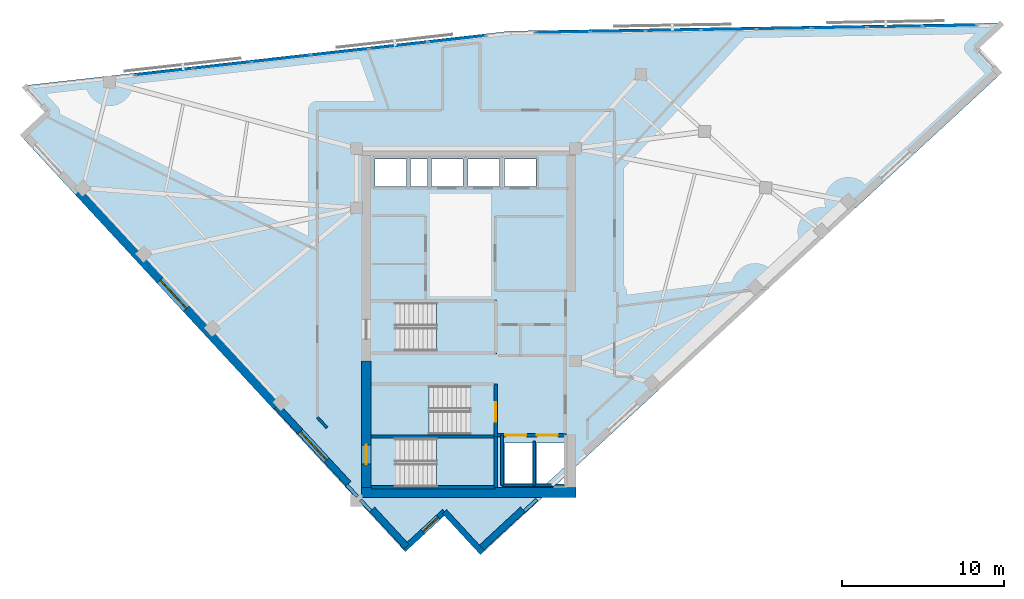
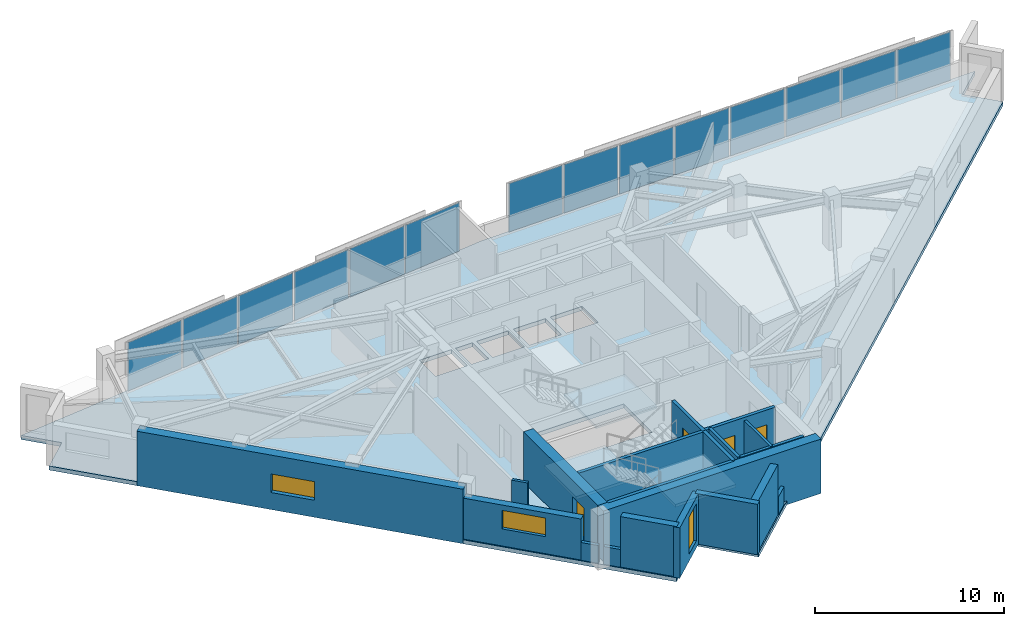
# One storey, part 7 of 12: 20 walls, 14 plates, 4 doors, 4 slabs, 3 windows, 7 openings, 5 elements without a shape of their own.
"""IFC4 building model written with IfcOpenShell, lengths in metres."""

from ifc_helpers import new_model, si_unit, direction, frame, frame_2d, origin, origin_2d, place, context, subcontext, project, spatial, polyline, rectangle, outline, extrude, material, layer, layer_set, type_object, element, fill, aggregate, save


model = new_model("IFC4")

# Units and contexts
model_context = context("Model", 3, precision=1e-05, world=origin(), true_north=direction((0.0, 1.0)))
body_context = subcontext(model_context, "Body", "Model", "MODEL_VIEW")
ifc_project = project(units=[si_unit("LENGTHUNIT", "METRE"), si_unit("AREAUNIT", "SQUARE_METRE"), si_unit("VOLUMEUNIT", "CUBIC_METRE"), si_unit("PLANEANGLEUNIT", "RADIAN"), si_unit("MASSUNIT", "GRAM", prefix="KILO")], contexts=[model_context])

# Site, building, storey
site_placement = place(None, origin())
site = spatial("IfcSite", under=ifc_project, at=site_placement, CompositionType="ELEMENT")
building_placement = place(site_placement, origin())
building = spatial("IfcBuilding", under=site, at=building_placement, Name="Narakoshi Arena Tower", CompositionType="ELEMENT")
storey_placement = place(building_placement, frame((0.0, 0.0, 267.780029296875)))
storey = spatial("IfcBuildingStorey", under=building, at=storey_placement, Name="L73", CompositionType="ELEMENT", Elevation=267.780029296875)

# Curtain wall, plates
ifc_material_1 = material(Name="Anodised bronze aluminium 6063-T6", Category="aluminium")
curtain_wall_type = type_object("IfcCurtainWallType", Name="CW-HYP-HIGH", PredefinedType="NOTDEFINED", material=ifc_material_1)
curtain_wall_1_placement = place(storey_placement, origin())
curtain_wall_1 = element("IfcCurtainWall", 1, at=curtain_wall_1_placement, inside=storey, type_object=curtain_wall_type, Name="L73 Folded Hypotenuse Curtain Wall 1-1", PredefinedType="NOTDEFINED")
ifc_material_2 = material(Name="Bronze-tinted low-E laminated glass", Category="glass")
ifc_layer_1 = layer(ifc_material_2, 0.0439453125)
ifc_layer_set_1 = layer_set([ifc_layer_1], Name="Bronze-tinted low-E laminated glass")
plate_type = type_object("IfcPlateType", Name="PLT-GLZ-44", PredefinedType="CURTAIN_PANEL", material=ifc_layer_set_1)
plate_1_placement = place(storey_placement, frame((108.725341796875, 64.08984375, 0.06494140625), z_axis=(0.0, 0.0, 1.0), x_axis=(-0.999864804777, -0.016442997569, 0.0)))
plate_1 = element("IfcPlate", 2, at=plate_1_placement, type_object=plate_type, Name="CW-03 panel 1.1", PredefinedType="CURTAIN_PANEL", context=body_context, shape_type="SweptSolid", body=[
    extrude(rectangle(XDim=3.307861328125, YDim=0.0439453125, at=origin_2d()), origin(), (0.0, 0.0, 1.0), 3.1298828125),
])
plate_2_placement = place(storey_placement, frame((105.31787109375, 64.033935546875, 0.06494140625), z_axis=(0.0, 0.0, 1.0), x_axis=(-0.999864804777, -0.016442997569, 0.0)))
plate_2 = element("IfcPlate", 3, at=plate_2_placement, type_object=plate_type, Name="CW-03 panel 2.1", PredefinedType="CURTAIN_PANEL", context=body_context, shape_type="SweptSolid", body=[
    extrude(rectangle(XDim=3.34765625, YDim=0.0439453125, at=origin_2d()), origin(), (0.0, 0.0, 1.0), 3.1298828125),
])
plate_3_placement = place(storey_placement, frame((101.890625, 63.9775390625, 0.06494140625), z_axis=(0.0, 0.0, 1.0), x_axis=(-0.999864804777, -0.016442997569, 0.0)))
plate_3 = element("IfcPlate", 4, at=plate_3_placement, type_object=plate_type, Name="CW-03 panel 3.1", PredefinedType="CURTAIN_PANEL", context=body_context, shape_type="SweptSolid", body=[
    extrude(rectangle(XDim=3.34765625, YDim=0.0439453125, at=origin_2d()), origin(), (0.0, 0.0, 1.0), 3.1298828125),
])
plate_4_placement = place(storey_placement, frame((98.46337890625, 63.921142578125, 0.06494140625), z_axis=(0.0, 0.0, 1.0), x_axis=(-0.999864804777, -0.016442997569, 0.0)))
plate_4 = element("IfcPlate", 5, at=plate_4_placement, type_object=plate_type, Name="CW-03 panel 4.1", PredefinedType="CURTAIN_PANEL", context=body_context, shape_type="SweptSolid", body=[
    extrude(rectangle(XDim=3.34765625, YDim=0.0439453125, at=origin_2d()), origin(), (0.0, 0.0, 1.0), 3.1298828125),
])
plate_5_placement = place(storey_placement, frame((95.0361328125, 63.86474609375, 0.06494140625), z_axis=(0.0, 0.0, 1.0), x_axis=(-0.999864804777, -0.016442997569, 0.0)))
plate_5 = element("IfcPlate", 6, at=plate_5_placement, type_object=plate_type, Name="CW-03 panel 5.1", PredefinedType="CURTAIN_PANEL", context=body_context, shape_type="SweptSolid", body=[
    extrude(rectangle(XDim=3.34765625, YDim=0.0439453125, at=origin_2d()), origin(), (0.0, 0.0, 1.0), 3.1298828125),
])
plate_6_placement = place(storey_placement, frame((91.60888671875, 63.808349609375, 0.06494140625), z_axis=(0.0, 0.0, 1.0), x_axis=(-0.999864804777, -0.016442997569, 0.0)))
plate_6 = element("IfcPlate", 7, at=plate_6_placement, type_object=plate_type, Name="CW-03 panel 6.1", PredefinedType="CURTAIN_PANEL", context=body_context, shape_type="SweptSolid", body=[
    extrude(rectangle(XDim=3.34765625, YDim=0.0439453125, at=origin_2d()), origin(), (0.0, 0.0, 1.0), 3.1298828125),
])
plate_7_placement = place(storey_placement, frame((88.181640625, 63.751953125, 0.06494140625), z_axis=(0.0, 0.0, 1.0), x_axis=(-0.999864804777, -0.016442997569, 0.0)))
plate_7 = element("IfcPlate", 8, at=plate_7_placement, type_object=plate_type, Name="CW-03 panel 7.1", PredefinedType="CURTAIN_PANEL", context=body_context, shape_type="SweptSolid", body=[
    extrude(rectangle(XDim=3.34765625, YDim=0.0439453125, at=origin_2d()), origin(), (0.0, 0.0, 1.0), 3.1298828125),
])
plate_8_placement = place(storey_placement, frame((84.774169921875, 63.696044921875, 0.06494140625), z_axis=(0.0, 0.0, 1.0), x_axis=(-0.999864804777, -0.016442997569, 0.0)))
plate_8 = element("IfcPlate", 9, at=plate_8_placement, type_object=plate_type, Name="CW-03 panel 8.1", PredefinedType="CURTAIN_PANEL", context=body_context, shape_type="SweptSolid", body=[
    extrude(rectangle(XDim=3.307861328125, YDim=0.0439453125, at=origin_2d()), origin(), (0.0, 0.0, 1.0), 3.1298828125),
])
aggregate(curtain_wall_1, [plate_1, plate_2, plate_3, plate_4, plate_5, plate_6, plate_7, plate_8])

curtain_wall_2_placement = place(storey_placement, origin())
curtain_wall_2 = element("IfcCurtainWall", 10, at=curtain_wall_2_placement, inside=storey, type_object=curtain_wall_type, Name="L73 Folded Hypotenuse Curtain Wall 2-1", PredefinedType="NOTDEFINED")
plate_9_placement = place(storey_placement, frame((78.222900390625, 63.2705078125, 0.06494140625), z_axis=(0.0, 0.0, 1.0), x_axis=(-0.9937760415, -0.111396496086, 0.0)))
plate_9 = element("IfcPlate", 11, at=plate_9_placement, type_object=plate_type, Name="CW-03 panel 1.1", PredefinedType="CURTAIN_PANEL", context=body_context, shape_type="SweptSolid", body=[
    extrude(rectangle(XDim=3.540283203125, YDim=0.0439453125, at=origin_2d()), origin(), (0.0, 0.0, 1.0), 3.1298828125),
])
plate_10_placement = place(storey_placement, frame((74.605224609375, 62.864990234375, 0.06494140625), z_axis=(0.0, 0.0, 1.0), x_axis=(-0.9937760415, -0.111396496086, 0.0)))
plate_10 = element("IfcPlate", 12, at=plate_10_placement, type_object=plate_type, Name="CW-03 panel 2.1", PredefinedType="CURTAIN_PANEL", context=body_context, shape_type="SweptSolid", body=[
    extrude(rectangle(XDim=3.580322265625, YDim=0.0439453125, at=origin_2d()), origin(), (0.0, 0.0, 1.0), 3.1298828125),
])
plate_11_placement = place(storey_placement, frame((70.967529296875, 62.45703125, 0.06494140625), z_axis=(0.0, 0.0, 1.0), x_axis=(-0.9937760415, -0.111396496086, 0.0)))
plate_11 = element("IfcPlate", 13, at=plate_11_placement, type_object=plate_type, Name="CW-03 panel 3.1", PredefinedType="CURTAIN_PANEL", context=body_context, shape_type="SweptSolid", body=[
    extrude(rectangle(XDim=3.580322265625, YDim=0.0439453125, at=origin_2d()), origin(), (0.0, 0.0, 1.0), 3.1298828125),
])
plate_12_placement = place(storey_placement, frame((67.330078125, 62.04931640625, 0.06494140625), z_axis=(0.0, 0.0, 1.0), x_axis=(-0.9937760415, -0.111396496086, 0.0)))
plate_12 = element("IfcPlate", 14, at=plate_12_placement, type_object=plate_type, Name="CW-03 panel 4.1", PredefinedType="CURTAIN_PANEL", context=body_context, shape_type="SweptSolid", body=[
    extrude(rectangle(XDim=3.580322265625, YDim=0.0439453125, at=origin_2d()), origin(), (0.0, 0.0, 1.0), 3.1298828125),
])
plate_13_placement = place(storey_placement, frame((63.6923828125, 61.6416015625, 0.06494140625), z_axis=(0.0, 0.0, 1.0), x_axis=(-0.9937760415, -0.111396496086, 0.0)))
plate_13 = element("IfcPlate", 15, at=plate_13_placement, type_object=plate_type, Name="CW-03 panel 5.1", PredefinedType="CURTAIN_PANEL", context=body_context, shape_type="SweptSolid", body=[
    extrude(rectangle(XDim=3.580322265625, YDim=0.0439453125, at=origin_2d()), origin(), (0.0, 0.0, 1.0), 3.1298828125),
])
plate_14_placement = place(storey_placement, frame((60.07470703125, 61.236083984375, 0.06494140625), z_axis=(0.0, 0.0, 1.0), x_axis=(-0.9937760415, -0.111396496086, 0.0)))
plate_14 = element("IfcPlate", 16, at=plate_14_placement, type_object=plate_type, Name="CW-03 panel 6.1", PredefinedType="CURTAIN_PANEL", context=body_context, shape_type="SweptSolid", body=[
    extrude(rectangle(XDim=3.540283203125, YDim=0.0439453125, at=origin_2d()), origin(), (0.0, 0.0, 1.0), 3.1298828125),
])
aggregate(curtain_wall_2, [plate_9, plate_10, plate_11, plate_12, plate_13, plate_14])

# Stair, slab
ifc_material_3 = material(Name="Concrete C45/55", Category="concrete")
stair_type = type_object("IfcStairType", Name="STR-CORE-352", PredefinedType="TWO_STRAIGHT_RUN_STAIR", material=ifc_material_3)
stair_1_placement = place(storey_placement, origin())
stair_1 = element("IfcStair", 17, at=stair_1_placement, inside=storey, type_object=stair_type, Name="L73 Core Escape Stair ST1", PredefinedType="TWO_STRAIGHT_RUN_STAIR")
ifc_layer_2 = layer(ifc_material_3, 0.18994140625)
ifc_layer_set_2 = layer_set([ifc_layer_2], Name="Concrete C45/55")
slab_type_1 = type_object("IfcSlabType", Name="SLB-LND-190", PredefinedType="LANDING", material=ifc_layer_set_2)
slab_1_placement = place(storey_placement, frame((0.0, 0.0, 1.570068359375)))
slab_1 = element("IfcSlab", 18, at=slab_1_placement, type_object=slab_type_1, Name="ST1 landing 1", PredefinedType="LANDING", context=body_context, shape_type="SweptSolid", body=[
    extrude(outline(polyline([(76.965087890625, 35.3701171875), (80.679931640625, 35.3701171875), (80.679931640625, 38.72998046875), (76.965087890625, 38.72998046875), (76.965087890625, 35.3701171875)])), origin(), (0.0, 0.0, 1.0), 0.18994140625),
])
aggregate(stair_1, [slab_1])

stair_2_placement = place(storey_placement, origin())
stair_2 = element("IfcStair", 19, at=stair_2_placement, inside=storey, type_object=stair_type, Name="L73 Core Escape Stair ST2", PredefinedType="TWO_STRAIGHT_RUN_STAIR")
slab_2_placement = place(storey_placement, frame((0.0, 0.0, 1.570068359375)))
slab_2 = element("IfcSlab", 20, at=slab_2_placement, type_object=slab_type_1, Name="ST2 landing 1", PredefinedType="LANDING", context=body_context, shape_type="SweptSolid", body=[
    extrude(outline(polyline([(72.77001953125, 38.6201171875), (76.485107421875, 38.6201171875), (76.485107421875, 41.97998046875), (72.77001953125, 41.97998046875), (72.77001953125, 38.6201171875)])), origin(), (0.0, 0.0, 1.0), 0.18994140625),
])
aggregate(stair_2, [slab_2])

stair_3_placement = place(storey_placement, origin())
stair_3 = element("IfcStair", 21, at=stair_3_placement, inside=storey, type_object=stair_type, Name="L73 Core Escape Stair ST3", PredefinedType="TWO_STRAIGHT_RUN_STAIR")
slab_3_placement = place(storey_placement, frame((0.0, 0.0, 1.570068359375)))
slab_3 = element("IfcSlab", 22, at=slab_3_placement, type_object=slab_type_1, Name="ST3 landing 1", PredefinedType="LANDING", context=body_context, shape_type="SweptSolid", body=[
    extrude(outline(polyline([(76.965087890625, 43.77001953125), (80.679931640625, 43.77001953125), (80.679931640625, 47.1298828125), (76.965087890625, 47.1298828125), (76.965087890625, 43.77001953125)])), origin(), (0.0, 0.0, 1.0), 0.18994140625),
])
aggregate(stair_3, [slab_3])

# Slab
ifc_material_4 = material(Name="Concrete C50/60", Category="concrete")
ifc_layer_3 = layer(ifc_material_4, 0.260009765625)
ifc_layer_set_3 = layer_set([ifc_layer_3], Name="Concrete C50/60")
slab_type_2 = type_object("IfcSlabType", Name="SLB-SKY-260", PredefinedType="FLOOR", material=ifc_layer_set_3)
slab_4_placement = place(storey_placement, frame((0.0, 0.0, -0.260009765625)))
element("IfcSlab", 23, at=slab_4_placement, inside=storey, type_object=slab_type_2, Name="L73 Structural Floor Slab", PredefinedType="FLOOR", context=body_context, shape_type="SweptSolid", body=[
    extrude(outline(polyline([(79.8056640625, 31.47216796875), (111.83154296875, 61.076416015625), (110.30078125, 62.732421875), (111.956787109375, 64.26318359375), (81.538818359375, 63.7626953125), (51.42333984375, 60.38720703125), (52.9541015625, 58.731201171875), (51.298095703125, 57.200439453125), (74.9033203125, 31.664794921875), (77.45068359375, 34.01953125), (79.8056640625, 31.47216796875)]), holes=[polyline([(80.5, 35.550048828125), (74.47998046875, 35.550048828125), (74.47998046875, 38.550048828125), (80.5, 38.550048828125), (80.5, 35.550048828125)]), polyline([(82.89990234375, 35.75), (81.14990234375, 35.75), (81.14990234375, 38.25), (82.89990234375, 38.25), (82.89990234375, 35.75)]), polyline([(84.89990234375, 36.794189453125), (83.7705078125, 35.75), (83.14990234375, 35.75), (83.14990234375, 38.25), (84.89990234375, 38.25), (84.89990234375, 36.794189453125)]), polyline([(72.949951171875, 38.800048828125), (72.949951171875, 41.800048828125), (78.969970703125, 41.800048828125), (78.969970703125, 38.800048828125), (72.949951171875, 38.800048828125)]), polyline([(74.47998046875, 43.949951171875), (74.47998046875, 46.949951171875), (80.5, 46.949951171875), (80.5, 43.949951171875), (74.47998046875, 43.949951171875)]), polyline([(75.10009765625, 54.14990234375), (73.14990234375, 54.14990234375), (73.14990234375, 55.85009765625), (75.10009765625, 55.85009765625), (75.10009765625, 54.14990234375)]), polyline([(76.39990234375, 54.14990234375), (75.35009765625, 54.14990234375), (75.35009765625, 55.85009765625), (76.39990234375, 55.85009765625), (76.39990234375, 54.14990234375)]), polyline([(78.60009765625, 54.14990234375), (76.64990234375, 54.14990234375), (76.64990234375, 55.85009765625), (78.60009765625, 55.85009765625), (78.60009765625, 54.14990234375)]), polyline([(78.89990234375, 54.14990234375), (78.89990234375, 55.85009765625), (80.85009765625, 55.85009765625), (80.85009765625, 54.14990234375), (78.89990234375, 54.14990234375)]), polyline([(81.14990234375, 54.14990234375), (81.14990234375, 55.85009765625), (83.10009765625, 55.85009765625), (83.10009765625, 54.14990234375), (81.14990234375, 54.14990234375)])]), origin(), (0.0, 0.0, 1.0), 0.260009765625),
])

# Wall, opening, door
ifc_layer_4 = layer(ifc_material_4, 0.60009765625)
ifc_layer_set_4 = layer_set([ifc_layer_4], Name="Concrete C50/60")
wall_type_1 = type_object("IfcWallType", Name="WL-CORE-600", PredefinedType="SHEAR", material=ifc_layer_set_4)
wall_1_placement = place(storey_placement, frame((72.60009765625, 35.5, -0.260009765625), z_axis=(0.0, 0.0, 1.0), x_axis=(0.0, 1.0, 0.0)))
wall_1 = element("IfcWall", 24, at=wall_1_placement, inside=storey, type_object=wall_type_1, Name="L73 Central Core Shear Wall CW-APX-W", PredefinedType="SHEAR", context=body_context, shape_type="SweptSolid", body=[
    extrude(rectangle(XDim=7.85009765625, YDim=0.60009765625, at=frame_2d((3.925048828125, 0.0))), origin(), (0.0, 0.0, 1.0), 3.52001953125),
])
opening_1_placement = place(wall_1_placement, frame((1.449951171875, 0.0, 0.260009765625)))
opening_1 = element("IfcOpeningElement", 25, at=opening_1_placement, cuts=wall_1, Name="Opening D-03", PredefinedType="OPENING", context=body_context, shape_type="SweptSolid", body=[
    extrude(rectangle(XDim=1.199951171875, YDim=2.199951171875, at=frame_2d((0.60009765625, 1.10009765625))), frame((0.0, 0.31005859375, 0.0), z_axis=(0.0, -1.0, 0.0), x_axis=(1.0, 0.0, 0.0)), (0.0, 0.0, 1.0), 0.6201171875),
])
ifc_material_5 = material(Name="Painted galvanized steel", Category="steel")
door_type_1 = type_object("IfcDoorType", Name="DR-STR-1200", OperationType="NOTDEFINED", PredefinedType="USERDEFINED", material=ifc_material_5)
door_1_placement = place(opening_1_placement, frame((1.199951171875, 0.0, 0.0), z_axis=(0.0, 0.0, 1.0), x_axis=(-1.0, 0.0, 0.0)))
door_1 = element("IfcDoor", 26, at=door_1_placement, inside=storey, type_object=door_type_1, Name="DR-L73-001", ObjectType="EXITDOOR", OperationType="SINGLE_SWING_LEFT", OverallHeight=2.199951171875, OverallWidth=1.199951171875, PredefinedType="USERDEFINED", context=body_context, shape_type="SweptSolid", body=[
    extrude(rectangle(XDim=1.199951171875, YDim=2.199951171875, at=frame_2d((0.60009765625, 1.10009765625))), frame((0.0, 0.02490234375, 0.0), z_axis=(0.0, -1.0, 0.0), x_axis=(1.0, 0.0, 0.0)), (0.0, 0.0, 1.0), 0.050048828125),
])
fill(opening_1, door_1)

# Walls
wall_2_placement = place(storey_placement, frame((72.300048828125, 35.199951171875, -0.260009765625), z_axis=(0.0, 0.0, 1.0), x_axis=(1.0, 0.0, 0.0)))
element("IfcWall", 27, at=wall_2_placement, inside=storey, type_object=wall_type_1, Name="L73 Central Core Shear Wall CW-APX-S", PredefinedType="SHEAR", context=body_context, shape_type="SweptSolid", body=[
    extrude(rectangle(XDim=13.300048828125, YDim=0.60009765625, at=frame_2d((6.64990234375, 0.0))), origin(), (0.0, 0.0, 1.0), 3.52001953125),
])
ifc_material_6 = material(Name="Gypsum plasterboard fire-rated partition")
ifc_layer_5 = layer(ifc_material_6, 0.1650390625)
ifc_layer_set_5 = layer_set([ifc_layer_5], Name="Gypsum plasterboard fire-rated partition")
wall_type_2 = type_object("IfcWallType", Name="WL-CORR-165", PredefinedType="PARTITIONING", material=ifc_layer_set_5)
wall_3_placement = place(storey_placement, frame((69.583251953125, 39.8505859375, 0.0), z_axis=(0.0, 0.0, 1.0), x_axis=(0.678798821758, -0.73432428775, 0.0)))
element("IfcWall", 28, at=wall_3_placement, inside=storey, type_object=wall_type_2, Name="L73 Corridor Partition 05-2", PredefinedType="PARTITIONING", context=body_context, shape_type="SweptSolid", body=[
    extrude(rectangle(XDim=0.87939453125, YDim=0.1650390625, at=frame_2d((0.439697265625, 0.0))), origin(), (0.0, 0.0, 1.0), 3.260009765625),
])

# Wall, opening, window
ifc_layer_6 = layer(ifc_material_4, 0.550048828125)
ifc_layer_set_6 = layer_set([ifc_layer_6], Name="Concrete C50/60")
wall_type_3 = type_object("IfcWallType", Name="WL-LEG-550", PredefinedType="SHEAR", material=ifc_layer_set_6)
wall_4_placement = place(storey_placement, frame((54.804931640625, 53.81201171875, -0.260009765625), z_axis=(0.0, 0.0, 1.0), x_axis=(0.678803115619, -0.734320318543, 0.0)))
wall_4 = element("IfcWall", 29, at=wall_4_placement, inside=storey, type_object=wall_type_3, Name="L73 Architectural Concrete Structural Wall LEGB-2", PredefinedType="SHEAR", context=body_context, shape_type="SweptSolid", body=[
    extrude(rectangle(XDim=18.082763671875, YDim=0.550048828125, at=frame_2d((9.04150390625, 0.0))), origin(), (0.0, 0.0, 1.0), 3.52001953125),
])
opening_2_placement = place(wall_4_placement, frame((7.434326171875, 0.0, 1.10009765625)))
opening_2 = element("IfcOpeningElement", 30, at=opening_2_placement, cuts=wall_4, Name="Opening WN-04", PredefinedType="OPENING", context=body_context, shape_type="SweptSolid", body=[
    extrude(rectangle(XDim=2.39990234375, YDim=1.199951171875, at=frame_2d((1.199951171875, 0.60009765625))), frame((0.0, 0.284912109375, 0.0), z_axis=(0.0, -1.0, 0.0), x_axis=(1.0, 0.0, 0.0)), (0.0, 0.0, 1.0), 0.570068359375),
])
window_type_1 = type_object("IfcWindowType", Name="WIN-SLT-24x12", PartitioningType="SINGLE_PANEL", PredefinedType="WINDOW", material=ifc_material_2)
window_1_placement = place(opening_2_placement, origin())
window_1 = element("IfcWindow", 31, at=window_1_placement, inside=storey, type_object=window_type_1, Name="L73 LEGB2 Horizontal Slot Window 1", OverallHeight=1.199951171875, OverallWidth=2.39990234375, PartitioningType="SINGLE_PANEL", PredefinedType="WINDOW", context=body_context, shape_type="SweptSolid", body=[
    extrude(rectangle(XDim=2.39990234375, YDim=1.199951171875, at=frame_2d((1.199951171875, 0.60009765625))), frame((0.0, 0.030029296875, 0.0), z_axis=(0.0, -1.0, 0.0), x_axis=(1.0, 0.0, 0.0)), (0.0, 0.0, 1.0), 0.06005859375),
])
fill(opening_2, window_1)

# Walls
ifc_material_7 = material(Name="Precast concrete C45/55", Category="concrete")
ifc_layer_7 = layer(ifc_material_7, 0.25)
ifc_layer_set_7 = layer_set([ifc_layer_7], Name="Precast concrete C45/55")
wall_type_4 = type_object("IfcWallType", Name="WL-PARA-250", PredefinedType="PARAPET", material=ifc_layer_set_7)
wall_5_placement = place(storey_placement, frame((72.881103515625, 34.058349609375, 0.0), z_axis=(0.0, 0.0, 1.0), x_axis=(-0.678651758246, 0.734460203843, 0.0)))
element("IfcWall", 32, at=wall_5_placement, inside=storey, type_object=wall_type_4, Name="L73 Crown Sill Upstand Parapet 01", PredefinedType="PARAPET", context=body_context, shape_type="SweptSolid", body=[
    extrude(rectangle(XDim=0.927490234375, YDim=0.199951171875, at=frame_2d((0.4638671875, 0.0))), origin(), (0.0, 0.0, 1.0), 1.14990234375),
])
wall_6_placement = place(storey_placement, frame((72.05908203125, 34.94775390625, 0.0), z_axis=(0.0, 0.0, 1.0), x_axis=(-0.678740051818, 0.734378609478, 0.0)))
element("IfcWall", 33, at=wall_6_placement, inside=storey, type_object=wall_type_4, Name="L73 Crown Sill Upstand Parapet 02", PredefinedType="PARAPET", context=body_context, shape_type="SweptSolid", body=[
    extrude(rectangle(XDim=0.9697265625, YDim=0.199951171875, at=frame_2d((0.48486328125, 0.0))), origin(), (0.0, 0.0, 1.0), 1.14990234375),
])
wall_7_placement = place(storey_placement, frame((83.15625, 34.760009765625, 0.0), z_axis=(0.0, 0.0, 1.0), x_axis=(-0.734364355784, -0.678755473609, 0.0)))
element("IfcWall", 34, at=wall_7_placement, inside=storey, type_object=wall_type_4, Name="L73 Crown Sill Upstand Parapet 05", PredefinedType="PARAPET", context=body_context, shape_type="SweptSolid", body=[
    extrude(rectangle(XDim=1.044921875, YDim=0.199951171875, at=frame_2d((0.5224609375, 0.0))), origin(), (0.0, 0.0, 1.0), 1.14990234375),
])
ifc_layer_8 = layer(ifc_material_7, 0.419921875)
ifc_layer_set_8 = layer_set([ifc_layer_8], Name="Precast concrete C45/55")
wall_type_5 = type_object("IfcWallType", Name="WL-POD-420", PredefinedType="SOLIDWALL", material=ifc_layer_set_8)
wall_8_placement = place(storey_placement, frame((79.618896484375, 31.674072265625, 0.0), z_axis=(0.0, 0.0, 1.0), x_axis=(0.734338793707, 0.678783128884, 0.0)))
element("IfcWall", 35, at=wall_8_placement, inside=storey, type_object=wall_type_5, Name="L73 Architectural Concrete Facade Wall LEGA-1", PredefinedType="SOLIDWALL", context=body_context, shape_type="SweptSolid", body=[
    extrude(rectangle(XDim=3.6474609375, YDim=0.419921875, at=frame_2d((1.82373046875, 0.0))), origin(), (0.0, 0.0, 1.0), 3.260009765625),
])

# Wall, opening, window
wall_9_placement = place(storey_placement, frame((67.07958984375, 40.533447265625, 0.0), z_axis=(0.0, 0.0, 1.0), x_axis=(0.678800006437, -0.734323192648, 0.0)))
wall_9 = element("IfcWall", 36, at=wall_9_placement, inside=storey, type_object=wall_type_5, Name="L73 Architectural Concrete Facade Wall LEGB-3", PredefinedType="SOLIDWALL", context=body_context, shape_type="SweptSolid", body=[
    extrude(rectangle(XDim=6.51220703125, YDim=0.419921875, at=frame_2d((3.256103515625, 0.0))), origin(), (0.0, 0.0, 1.0), 2.64501953125),
])
opening_3_placement = place(wall_9_placement, frame((2.128662109375, 0.0, 1.10009765625)))
opening_3 = element("IfcOpeningElement", 37, at=opening_3_placement, cuts=wall_9, Name="Opening WN-04", PredefinedType="OPENING", context=body_context, shape_type="SweptSolid", body=[
    extrude(rectangle(XDim=2.39990234375, YDim=1.199951171875, at=frame_2d((1.199951171875, 0.60009765625))), frame((0.0, 0.219970703125, 0.0), z_axis=(0.0, -1.0, 0.0), x_axis=(1.0, 0.0, 0.0)), (0.0, 0.0, 1.0), 0.43994140625),
])
window_2_placement = place(opening_3_placement, origin())
window_2 = element("IfcWindow", 38, at=window_2_placement, inside=storey, type_object=window_type_1, Name="L73 LEGB3 Horizontal Slot Window 1", OverallHeight=1.199951171875, OverallWidth=2.39990234375, PartitioningType="SINGLE_PANEL", PredefinedType="WINDOW", context=body_context, shape_type="SweptSolid", body=[
    extrude(rectangle(XDim=2.39990234375, YDim=1.199951171875, at=frame_2d((1.199951171875, 0.60009765625))), frame((0.0, 0.030029296875, 0.0), z_axis=(0.0, -1.0, 0.0), x_axis=(1.0, 0.0, 0.0)), (0.0, 0.0, 1.0), 0.06005859375),
])
fill(opening_3, window_2)

# Wall
wall_10_placement = place(storey_placement, frame((72.980224609375, 34.14990234375, 0.0), z_axis=(0.0, 0.0, 1.0), x_axis=(0.67879500555, -0.73432781538, 0.0)))
element("IfcWall", 39, at=wall_10_placement, inside=storey, type_object=wall_type_5, Name="L73 Architectural Concrete Facade Wall LEGB-4", PredefinedType="SOLIDWALL", context=body_context, shape_type="SweptSolid", body=[
    extrude(rectangle(XDim=3.130126953125, YDim=0.419921875, at=frame_2d((1.56494140625, 0.0))), origin(), (0.0, 0.0, 1.0), 3.260009765625),
])

# Wall, opening, window
wall_11_placement = place(storey_placement, frame((74.9033203125, 31.664794921875, 0.0), z_axis=(0.0, 0.0, 1.0), x_axis=(0.734325680362, 0.678797315228, 0.0)))
wall_11 = element("IfcWall", 40, at=wall_11_placement, inside=storey, type_object=wall_type_5, Name="L73 Re-Entrant Corner Notch Wall NTA-1", PredefinedType="SOLIDWALL", context=body_context, shape_type="SweptSolid", body=[
    extrude(rectangle(XDim=3.468994140625, YDim=0.360107421875, at=frame_2d((1.734375, 0.0))), origin(), (0.0, 0.0, 1.0), 3.260009765625),
])
opening_4_placement = place(wall_11_placement, frame((1.64306640625, 0.0, 0.449951171875)))
opening_4 = element("IfcOpeningElement", 41, at=opening_4_placement, cuts=wall_11, Name="Opening WN-06", PredefinedType="OPENING", context=body_context, shape_type="SweptSolid", body=[
    extrude(rectangle(XDim=1.300048828125, YDim=2.39990234375, at=frame_2d((0.64990234375, 1.199951171875))), frame((0.0, 0.18994140625, 0.0), z_axis=(0.0, -1.0, 0.0), x_axis=(1.0, 0.0, 0.0)), (0.0, 0.0, 1.0), 0.380126953125),
])
window_type_2 = type_object("IfcWindowType", Name="WIN-NTC-16x24", PartitioningType="SINGLE_PANEL", PredefinedType="WINDOW", material=ifc_material_2)
window_3_placement = place(opening_4_placement, origin())
window_3 = element("IfcWindow", 42, at=window_3_placement, inside=storey, type_object=window_type_2, Name="L73 Corner Notch Window NTA", OverallHeight=2.39990234375, OverallWidth=1.300048828125, PartitioningType="SINGLE_PANEL", PredefinedType="WINDOW", context=body_context, shape_type="SweptSolid", body=[
    extrude(rectangle(XDim=1.300048828125, YDim=2.39990234375, at=frame_2d((0.64990234375, 1.199951171875))), frame((0.0, 0.030029296875, 0.0), z_axis=(0.0, -1.0, 0.0), x_axis=(1.0, 0.0, 0.0)), (0.0, 0.0, 1.0), 0.06005859375),
])
fill(opening_4, window_3)

# Walls
wall_12_placement = place(storey_placement, frame((77.45068359375, 34.01953125, 0.0), z_axis=(0.0, 0.0, 1.0), x_axis=(0.678835262818, -0.734290600481, 0.0)))
element("IfcWall", 43, at=wall_12_placement, inside=storey, type_object=wall_type_5, Name="L73 Re-Entrant Corner Notch Wall NTA-2", PredefinedType="SOLIDWALL", context=body_context, shape_type="SweptSolid", body=[
    extrude(rectangle(XDim=3.46923828125, YDim=0.360107421875, at=frame_2d((1.734619140625, 0.0))), origin(), (0.0, 0.0, 1.0), 3.260009765625),
])
ifc_material_8 = material(Name="Concrete C40/50", Category="concrete")
ifc_layer_9 = layer(ifc_material_8, 0.280029296875)
ifc_layer_set_9 = layer_set([ifc_layer_9], Name="Concrete C40/50")
wall_type_6 = type_object("IfcWallType", Name="WL-RISER-280", PredefinedType="PLUMBINGWALL", material=ifc_layer_set_9)
wall_13_placement = place(storey_placement, frame((83.0, 35.64990234375, 0.0), z_axis=(0.0, 0.0, 1.0), x_axis=(0.0, 1.0, 0.0)))
element("IfcWall", 44, at=wall_13_placement, inside=storey, type_object=wall_type_6, Name="L73 Core Wall FF-DIV", PredefinedType="PLUMBINGWALL", context=body_context, shape_type="SweptSolid", body=[
    extrude(rectangle(XDim=2.75, YDim=0.159912109375, at=frame_2d((1.375, 0.0))), origin(), (0.0, 0.0, 1.0), 3.260009765625),
])
ifc_layer_10 = layer(ifc_material_4, 0.35009765625)
ifc_layer_set_10 = layer_set([ifc_layer_10], Name="Concrete C50/60")
wall_type_7 = type_object("IfcWallType", Name="WL-SHAFT-350", PredefinedType="SOLIDWALL", material=ifc_layer_set_10)
for number, where, z_axis, x_axis, name in (
    (45, (72.919921875, 35.52001953125, -0.260009765625), (0.0, 0.0, 1.0), (1.0, 0.0, 0.0), "L73 Core Wall ST1-S"),
    (46, (72.919921875, 38.675048828125, -0.260009765625), (0.0, 0.0, 1.0), (1.0, 0.0, 0.0), "L73 Core Wall ST12-DIV"),
):
    element("IfcWall", number, at=place(storey_placement, frame(where, z_axis=z_axis, x_axis=x_axis)), inside=storey, type_object=wall_type_7, Name=name, PredefinedType="SOLIDWALL", context=body_context, shape_type="SweptSolid", body=[
        extrude(rectangle(XDim=7.7001953125, YDim=0.199951171875, at=frame_2d((3.85009765625, 0.0))), origin(), (0.0, 0.0, 1.0), 3.52001953125),
    ])
wall_14_placement = place(storey_placement, frame((80.6201171875, 35.52001953125, -0.260009765625), z_axis=(0.0, 0.0, 1.0), x_axis=(0.0, 1.0, 0.0)))
element("IfcWall", 47, at=wall_14_placement, inside=storey, type_object=wall_type_7, Name="L73 Core Wall ST1-E", PredefinedType="SOLIDWALL", context=body_context, shape_type="SweptSolid", body=[
    extrude(rectangle(XDim=3.155029296875, YDim=0.199951171875, at=frame_2d((1.57763671875, 0.0))), origin(), (0.0, 0.0, 1.0), 3.52001953125),
])

# Wall, opening, door
wall_15_placement = place(storey_placement, frame((80.6201171875, 38.675048828125, -0.260009765625), z_axis=(0.0, 0.0, 1.0), x_axis=(0.0, 1.0, 0.0)))
wall_15 = element("IfcWall", 48, at=wall_15_placement, inside=storey, type_object=wall_type_7, Name="L73 Core Wall ST2-E", PredefinedType="SOLIDWALL", context=body_context, shape_type="SweptSolid", body=[
    extrude(rectangle(XDim=3.244873046875, YDim=0.199951171875, at=frame_2d((1.62255859375, 0.0))), origin(), (0.0, 0.0, 1.0), 3.52001953125),
])
opening_5_placement = place(wall_15_placement, frame((0.89990234375, 0.0, 0.260009765625)))
opening_5 = element("IfcOpeningElement", 49, at=opening_5_placement, cuts=wall_15, Name="Opening D-03", PredefinedType="OPENING", context=body_context, shape_type="SweptSolid", body=[
    extrude(rectangle(XDim=1.199951171875, YDim=2.199951171875, at=frame_2d((0.60009765625, 1.10009765625))), frame((0.0, 0.10986328125, 0.0), z_axis=(0.0, -1.0, 0.0), x_axis=(1.0, 0.0, 0.0)), (0.0, 0.0, 1.0), 0.219970703125),
])
door_2_placement = place(opening_5_placement, origin())
door_2 = element("IfcDoor", 50, at=door_2_placement, inside=storey, type_object=door_type_1, Name="DR-L73-002", ObjectType="EXITDOOR", OperationType="SINGLE_SWING_RIGHT", OverallHeight=2.199951171875, OverallWidth=1.199951171875, PredefinedType="USERDEFINED", context=body_context, shape_type="SweptSolid", body=[
    extrude(rectangle(XDim=1.199951171875, YDim=2.199951171875, at=frame_2d((0.60009765625, 1.10009765625))), frame((0.0, 0.02490234375, 0.0), z_axis=(0.0, -1.0, 0.0), x_axis=(1.0, 0.0, 0.0)), (0.0, 0.0, 1.0), 0.050048828125),
])
fill(opening_5, door_2)

# Wall, openings, doors
wall_16_placement = place(storey_placement, frame((80.719970703125, 38.75, 0.0), z_axis=(0.0, 0.0, 1.0), x_axis=(1.0, 0.0, 0.0)))
wall_16 = element("IfcWall", 51, at=wall_16_placement, inside=storey, type_object=wall_type_7, Name="L73 Core Wall FF-N", PredefinedType="SOLIDWALL", context=body_context, shape_type="SweptSolid", body=[
    extrude(rectangle(XDim=4.260009765625, YDim=0.199951171875, at=frame_2d((2.1298828125, 0.0))), origin(), (0.0, 0.0, 1.0), 3.260009765625),
])
opening_6_placement = place(wall_16_placement, frame((0.5, 0.0, 0.0)))
opening_6 = element("IfcOpeningElement", 52, at=opening_6_placement, cuts=wall_16, Name="Opening LD-02", PredefinedType="OPENING", context=body_context, shape_type="SweptSolid", body=[
    extrude(rectangle(XDim=1.300048828125, YDim=2.300048828125, at=frame_2d((0.64990234375, 1.14990234375))), frame((0.0, 0.10986328125, 0.0), z_axis=(0.0, -1.0, 0.0), x_axis=(1.0, 0.0, 0.0)), (0.0, 0.0, 1.0), 0.219970703125),
])
opening_7_placement = place(wall_16_placement, frame((2.449951171875, 0.0, 0.0)))
opening_7 = element("IfcOpeningElement", 53, at=opening_7_placement, cuts=wall_16, Name="Opening LD-02", PredefinedType="OPENING", context=body_context, shape_type="SweptSolid", body=[
    extrude(rectangle(XDim=1.300048828125, YDim=2.300048828125, at=frame_2d((0.64990234375, 1.14990234375))), frame((0.0, 0.10986328125, 0.0), z_axis=(0.0, -1.0, 0.0), x_axis=(1.0, 0.0, 0.0)), (0.0, 0.0, 1.0), 0.219970703125),
])
ifc_material_9 = material(Name="Brushed bronze stainless steel", Category="steel")
door_type_2 = type_object("IfcDoorType", Name="DR-LFT-1300", OperationType="DOUBLE_DOOR_SLIDING", PredefinedType="DOOR", material=ifc_material_9)
door_3_placement = place(opening_6_placement, origin())
door_3 = element("IfcDoor", 54, at=door_3_placement, inside=storey, type_object=door_type_2, Name="DR-L73-003", OperationType="DOUBLE_DOOR_SLIDING", OverallHeight=2.300048828125, OverallWidth=1.300048828125, PredefinedType="DOOR", context=body_context, shape_type="SweptSolid", body=[
    extrude(rectangle(XDim=1.300048828125, YDim=2.300048828125, at=frame_2d((0.64990234375, 1.14990234375))), frame((0.0, 0.02490234375, 0.0), z_axis=(0.0, -1.0, 0.0), x_axis=(1.0, 0.0, 0.0)), (0.0, 0.0, 1.0), 0.050048828125),
])
fill(opening_6, door_3)
door_4_placement = place(opening_7_placement, origin())
door_4 = element("IfcDoor", 55, at=door_4_placement, inside=storey, type_object=door_type_2, Name="DR-L73-004", OperationType="DOUBLE_DOOR_SLIDING", OverallHeight=2.300048828125, OverallWidth=1.300048828125, PredefinedType="DOOR", context=body_context, shape_type="SweptSolid", body=[
    extrude(rectangle(XDim=1.300048828125, YDim=2.300048828125, at=frame_2d((0.64990234375, 1.14990234375))), frame((0.0, 0.02490234375, 0.0), z_axis=(0.0, -1.0, 0.0), x_axis=(1.0, 0.0, 0.0)), (0.0, 0.0, 1.0), 0.050048828125),
])
fill(opening_7, door_4)

# Walls
wall_17_placement = place(storey_placement, frame((81.02001953125, 35.64990234375, 0.0), z_axis=(0.0, 0.0, 1.0), x_axis=(0.0, 1.0, 0.0)))
element("IfcWall", 56, at=wall_17_placement, inside=storey, type_object=wall_type_7, Name="L73 Core Wall FF-W", PredefinedType="SOLIDWALL", context=body_context, shape_type="SweptSolid", body=[
    extrude(rectangle(XDim=3.10009765625, YDim=0.179931640625, at=frame_2d((1.550048828125, 0.0))), origin(), (0.0, 0.0, 1.0), 3.260009765625),
])
wall_18_placement = place(storey_placement, frame((81.02001953125, 35.64990234375, 0.0), z_axis=(0.0, 0.0, 1.0), x_axis=(1.0, 0.0, 0.0)))
element("IfcWall", 57, at=wall_18_placement, inside=storey, type_object=wall_type_7, Name="L73 Core Wall FF-S", PredefinedType="SOLIDWALL", context=body_context, shape_type="SweptSolid", body=[
    extrude(rectangle(XDim=3.929931640625, YDim=0.179931640625, at=frame_2d((1.96484375, 0.0))), origin(), (0.0, 0.0, 1.0), 3.260009765625),
])

save(model, "model.ifc")
